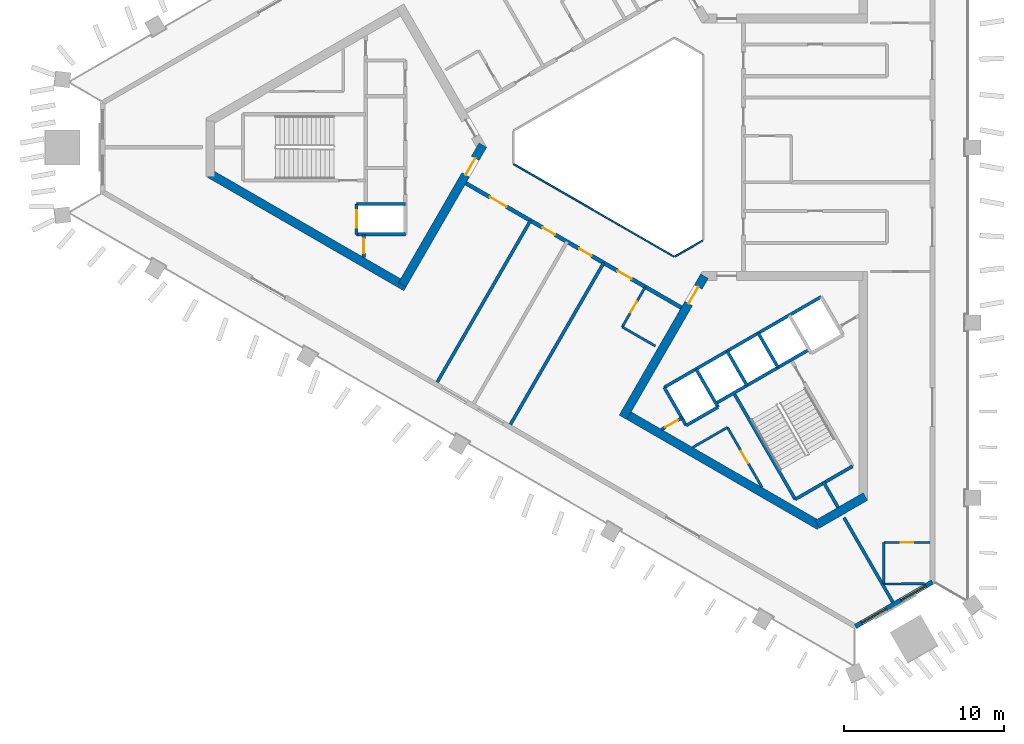
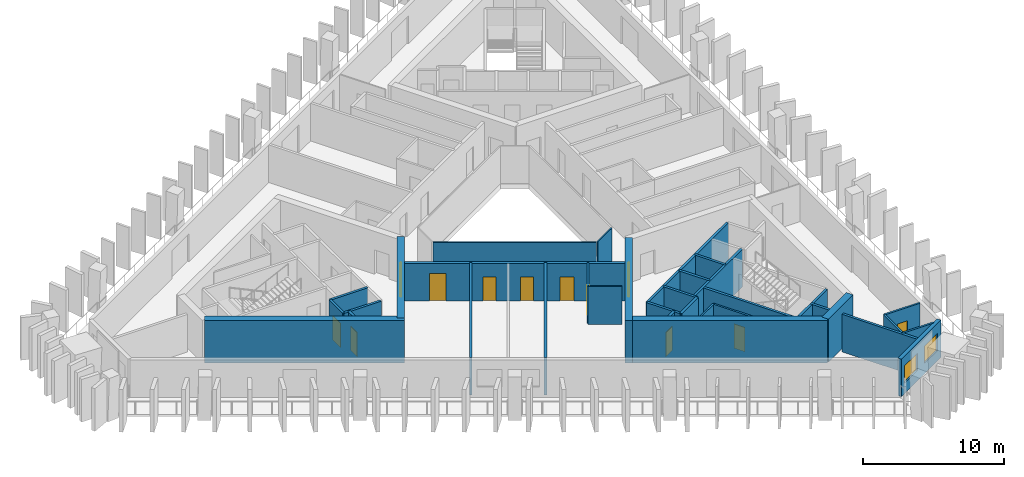
# One storey, part 2 of 10: 34 walls, 12 doors, 2 windows, 14 openings.
"""IFC4 building model written with IfcOpenShell, lengths in metres."""

from ifc_helpers import new_model, si_unit, direction, frame, frame_2d, origin, place, context, subcontext, project, spatial, rectangle, extrude, material, layer, layer_set, type_object, element, fill, save


model = new_model("IFC4")

# Units and contexts
model_context = context("Model", 3, precision=1e-05, world=origin(), true_north=direction((0.0, 1.0)))
body_context = subcontext(model_context, "Body", "Model", "MODEL_VIEW")
ifc_project = project(units=[si_unit("LENGTHUNIT", "METRE"), si_unit("AREAUNIT", "SQUARE_METRE"), si_unit("VOLUMEUNIT", "CUBIC_METRE"), si_unit("PLANEANGLEUNIT", "RADIAN"), si_unit("MASSUNIT", "GRAM", prefix="KILO")], contexts=[model_context])

# Site, building, storey
site_placement = place(None, origin())
site = spatial("IfcSite", under=ifc_project, at=site_placement, CompositionType="ELEMENT")
building_placement = place(site_placement, origin())
building = spatial("IfcBuilding", under=site, at=building_placement, Name="Jabali Bay Hotel Tower and Convention Centre", CompositionType="ELEMENT")
storey_placement = place(building_placement, frame((0.0, 0.0, 156.300048828125)))
storey = spatial("IfcBuildingStorey", under=building, at=storey_placement, Name="L37", CompositionType="ELEMENT", Elevation=156.300048828125)

# Walls
ifc_material_1 = material(Name="Fire-resistant glazing", Category="glass")
ifc_layer_1 = layer(ifc_material_1, 0.10009765625)
ifc_layer_set_1 = layer_set([ifc_layer_1], Name="Fire-resistant glazing")
wall_type_1 = type_object("IfcWallType", Name="Atrium glazed screen 100", PredefinedType="PARTITIONING", material=ifc_layer_set_1)
wall_1_placement = place(storey_placement, frame((67.7021484375, 78.947998046875, 0.0), z_axis=(0.0, 0.0, 1.0), x_axis=(0.866026658274, -0.499997827154, 0.0)))
element("IfcWall", 1, at=wall_1_placement, inside=storey, type_object=wall_type_1, Name="Atrium screen 5 L37", PredefinedType="PARTITIONING", context=body_context, shape_type="SweptSolid", body=[
    extrude(rectangle(XDim=11.58837890625, YDim=0.10009765625, at=frame_2d((5.794189453125, 0.0))), origin(), (0.0, 0.0, 1.0), 3.25),
])
wall_2_placement = place(storey_placement, frame((77.7978515625, 73.15380859375, 0.0), z_axis=(0.0, 0.0, 1.0), x_axis=(0.866041268327, 0.499972520799, 0.0)))
element("IfcWall", 2, at=wall_2_placement, inside=storey, type_object=wall_type_1, Name="Atrium screen 6 L37", PredefinedType="PARTITIONING", context=body_context, shape_type="SweptSolid", body=[
    extrude(rectangle(XDim=2.0, YDim=0.10009765625, at=frame_2d((1.0, 0.0))), origin(), (0.0, 0.0, 1.0), 3.25),
])

# Wall, opening, door
ifc_material_2 = material(Name="Concrete C40", Category="concrete")
ifc_layer_2 = layer(ifc_material_2, 0.199951171875)
ifc_layer_set_2 = layer_set([ifc_layer_2], Name="Concrete C40")
wall_type_2 = type_object("IfcWallType", Name="Core partition wall 200", PredefinedType="PARTITIONING", material=ifc_layer_set_2)
wall_3_placement = place(storey_placement, frame((58.300048828125, 74.550048828125, 0.0), z_axis=(0.0, 0.0, 1.0), x_axis=(0.0, -1.0, 0.0)))
wall_3 = element("IfcWall", 3, at=wall_3_placement, inside=storey, type_object=wall_type_2, Name="Core wall 0.11 L37", PredefinedType="PARTITIONING", context=body_context, shape_type="SweptSolid", body=[
    extrude(rectangle(XDim=1.455078125, YDim=0.199951171875, at=frame_2d((0.7275390625, 0.0))), origin(), (0.0, 0.0, 1.0), 3.25),
])
opening_1_placement = place(wall_3_placement, frame((0.277587890625, 0.0, 0.0)))
opening_1 = element("IfcOpeningElement", 4, at=opening_1_placement, cuts=wall_3, Name="Opening D808", PredefinedType="OPENING", context=body_context, shape_type="SweptSolid", body=[
    extrude(rectangle(XDim=0.89990234375, YDim=2.10009765625, at=frame_2d((0.449951171875, 1.050048828125))), frame((0.0, 0.1103515625, 0.0), z_axis=(0.0, -1.0, 0.0), x_axis=(1.0, 0.0, 0.0)), (0.0, 0.0, 1.0), 0.220947265625),
])
ifc_material_3 = material(Name="Fire-rated steel door", Category="steel")
door_type_1 = type_object("IfcDoorType", Name="Vestibule fire door 900 x 2100", OperationType="NOTDEFINED", PredefinedType="NOTDEFINED", material=ifc_material_3)
door_1_placement = place(opening_1_placement, origin())
door_1 = element("IfcDoor", 5, at=door_1_placement, inside=storey, type_object=door_type_1, Name="Vestibule fire door D808", OperationType="SINGLE_SWING_LEFT", OverallHeight=2.10009765625, OverallWidth=0.89990234375, PredefinedType="NOTDEFINED", context=body_context, shape_type="SweptSolid", body=[
    extrude(rectangle(XDim=0.89990234375, YDim=2.10009765625, at=frame_2d((0.449951171875, 1.050048828125))), frame((0.0, 0.02490234375, 0.0), z_axis=(0.0, -1.0, 0.0), x_axis=(1.0, 0.0, 0.0)), (0.0, 0.0, 1.0), 0.050048828125),
])
fill(opening_1, door_1)

# Wall
wall_4_placement = place(storey_placement, frame((87.090087890625, 59.0595703125, 0.0), z_axis=(0.0, 0.0, 1.0), x_axis=(0.499951854219, -0.86605319898, 0.0)))
element("IfcWall", 6, at=wall_4_placement, inside=storey, type_object=wall_type_2, Name="Core wall 2.5 L37", PredefinedType="PARTITIONING", context=body_context, shape_type="SweptSolid", body=[
    extrude(rectangle(XDim=1.873291015625, YDim=0.199951171875, at=frame_2d((0.9365234375, 0.0))), origin(), (0.0, 0.0, 1.0), 3.25),
])

# Wall, opening, door
wall_5_placement = place(storey_placement, frame((76.969970703125, 62.315673828125, 0.0), z_axis=(0.0, 0.0, 1.0), x_axis=(0.865982457891, 0.500074377092, 0.0)))
wall_5 = element("IfcWall", 7, at=wall_5_placement, inside=storey, type_object=wall_type_2, Name="Core wall 2.11 L37", PredefinedType="PARTITIONING", context=body_context, shape_type="SweptSolid", body=[
    extrude(rectangle(XDim=1.461181640625, YDim=0.199951171875, at=frame_2d((0.73046875, 0.0))), origin(), (0.0, 0.0, 1.0), 3.25),
])
opening_2_placement = place(wall_5_placement, frame((0.280517578125, 0.0, 0.0)))
opening_2 = element("IfcOpeningElement", 8, at=opening_2_placement, cuts=wall_5, Name="Opening D821", PredefinedType="OPENING", context=body_context, shape_type="SweptSolid", body=[
    extrude(rectangle(XDim=0.89990234375, YDim=2.10009765625, at=frame_2d((0.449951171875, 1.050048828125))), frame((0.0, 0.1103515625, 0.0), z_axis=(0.0, -1.0, 0.0), x_axis=(1.0, 0.0, 0.0)), (0.0, 0.0, 1.0), 0.220947265625),
])
door_2_placement = place(opening_2_placement, origin())
door_2 = element("IfcDoor", 9, at=door_2_placement, inside=storey, type_object=door_type_1, Name="Vestibule fire door D821", OperationType="SINGLE_SWING_LEFT", OverallHeight=2.10009765625, OverallWidth=0.89990234375, PredefinedType="NOTDEFINED", context=body_context, shape_type="SweptSolid", body=[
    extrude(rectangle(XDim=0.89990234375, YDim=2.10009765625, at=frame_2d((0.449951171875, 1.050048828125))), frame((0.0, 0.02490234375, 0.0), z_axis=(0.0, -1.0, 0.0), x_axis=(1.0, 0.0, 0.0)), (0.0, 0.0, 1.0), 0.050048828125),
])
fill(opening_2, door_2)

ifc_material_4 = material(Name="Fire-rated board partition")
ifc_layer_3 = layer(ifc_material_4, 0.14990234375)
ifc_layer_set_3 = layer_set([ifc_layer_3], Name="Fire-rated board partition")
wall_type_3 = type_object("IfcWallType", Name="Core room partition 150", PredefinedType="PARTITIONING", material=ifc_layer_set_3)
wall_6_placement = place(storey_placement, frame((81.093994140625, 62.445068359375, 0.0), z_axis=(0.0, 0.0, 1.0), x_axis=(0.499980071345, -0.866036909293, 0.0)))
wall_6 = element("IfcWall", 10, at=wall_6_placement, inside=storey, type_object=wall_type_3, Name="Core wall 2.1 L37", PredefinedType="PARTITIONING", context=body_context, shape_type="SweptSolid", body=[
    extrude(rectangle(XDim=4.347900390625, YDim=0.14990234375, at=frame_2d((2.173828125, 0.0))), origin(), (0.0, 0.0, 1.0), 3.25),
])
opening_3_placement = place(wall_6_placement, frame((1.696533203125, 0.0, 0.0)))
opening_3 = element("IfcOpeningElement", 11, at=opening_3_placement, cuts=wall_6, Name="Opening D823", PredefinedType="OPENING", context=body_context, shape_type="SweptSolid", body=[
    extrude(rectangle(XDim=0.89990234375, YDim=2.10009765625, at=frame_2d((0.449951171875, 1.050048828125))), frame((0.0, 0.08544921875, 0.0), z_axis=(0.0, -1.0, 0.0), x_axis=(1.0, 0.0, 0.0)), (0.0, 0.0, 1.0), 0.1708984375),
])
door_type_2 = type_object("IfcDoorType", Name="Core room door 900 x 2100", OperationType="NOTDEFINED", PredefinedType="NOTDEFINED", material=ifc_material_3)
door_3_placement = place(opening_3_placement, origin())
door_3 = element("IfcDoor", 12, at=door_3_placement, inside=storey, type_object=door_type_2, Name="Core room door D823", OperationType="SINGLE_SWING_LEFT", OverallHeight=2.10009765625, OverallWidth=0.89990234375, PredefinedType="NOTDEFINED", context=body_context, shape_type="SweptSolid", body=[
    extrude(rectangle(XDim=0.89990234375, YDim=2.10009765625, at=frame_2d((0.449951171875, 1.050048828125))), frame((0.0, 0.02490234375, 0.0), z_axis=(0.0, -1.0, 0.0), x_axis=(1.0, 0.0, 0.0)), (0.0, 0.0, 1.0), 0.050048828125),
])
fill(opening_3, door_3)

# Walls
wall_7_placement = place(storey_placement, frame((78.919921875, 61.18994140625, 0.0), z_axis=(0.0, 0.0, 1.0), x_axis=(0.866038211682, 0.499977815414, 0.0)))
element("IfcWall", 13, at=wall_7_placement, inside=storey, type_object=wall_type_3, Name="Core wall 2.16 L37", PredefinedType="PARTITIONING", context=body_context, shape_type="SweptSolid", body=[
    extrude(rectangle(XDim=2.51025390625, YDim=0.14990234375, at=frame_2d((1.255126953125, 0.0))), origin(), (0.0, 0.0, 1.0), 3.25),
])
ifc_layer_4 = layer(ifc_material_2, 0.199951171875)
ifc_layer_set_4 = layer_set([ifc_layer_4], Name="Concrete C40")
wall_type_4 = type_object("IfcWallType", Name="Core stair wall 200", PredefinedType="SOLIDWALL", material=ifc_layer_set_4)
for number, where, z_axis, x_axis, name in (
    (14, (60.89990234375, 76.449951171875, 0.0), (0.0, 0.0, 1.0), (-1.0, 0.0, 0.0), "Core wall 0.7 L37"),
    (15, (60.89990234375, 74.550048828125, 0.0), (0.0, 0.0, 1.0), (-1.0, 0.0, 0.0), "Core wall 0.8 L37"),
):
    element("IfcWall", number, at=place(storey_placement, frame(where, z_axis=z_axis, x_axis=x_axis)), inside=storey, type_object=wall_type_4, Name=name, PredefinedType="SOLIDWALL", context=body_context, shape_type="SweptSolid", body=[
        extrude(rectangle(XDim=3.0498046875, YDim=0.199951171875, at=frame_2d((1.52490234375, 0.0))), origin(), (0.0, 0.0, 1.0), 3.25),
    ])

# Wall, opening, door
wall_8_placement = place(storey_placement, frame((57.85009765625, 76.449951171875, 0.0), z_axis=(0.0, 0.0, 1.0), x_axis=(0.0, -1.0, 0.0)))
wall_8 = element("IfcWall", 16, at=wall_8_placement, inside=storey, type_object=wall_type_4, Name="Core wall 0.12 L37", PredefinedType="SOLIDWALL", context=body_context, shape_type="SweptSolid", body=[
    extrude(rectangle(XDim=1.89990234375, YDim=0.199951171875, at=frame_2d((0.949951171875, 0.0))), origin(), (0.0, 0.0, 1.0), 3.25),
])
opening_4_placement = place(wall_8_placement, frame((0.39990234375, 0.0, 0.0)))
opening_4 = element("IfcOpeningElement", 17, at=opening_4_placement, cuts=wall_8, Name="Opening LD5-L37", PredefinedType="OPENING", context=body_context, shape_type="SweptSolid", body=[
    extrude(rectangle(XDim=1.10009765625, YDim=2.10009765625, at=frame_2d((0.550048828125, 1.050048828125))), frame((0.0, 0.1103515625, 0.0), z_axis=(0.0, -1.0, 0.0), x_axis=(1.0, 0.0, 0.0)), (0.0, 0.0, 1.0), 0.220947265625),
])
ifc_material_5 = material(Name="Stainless steel landing door", Category="steel")
door_type_3 = type_object("IfcDoorType", Name="Landing door 1100 x 2100", OperationType="NOTDEFINED", PredefinedType="NOTDEFINED", material=ifc_material_5)
door_4_placement = place(opening_4_placement, origin())
door_4 = element("IfcDoor", 18, at=door_4_placement, inside=storey, type_object=door_type_3, Name="Landing doors LD5-L37", OperationType="SLIDING_TO_RIGHT", OverallHeight=2.10009765625, OverallWidth=1.10009765625, PredefinedType="NOTDEFINED", context=body_context, shape_type="SweptSolid", body=[
    extrude(rectangle(XDim=1.10009765625, YDim=2.10009765625, at=frame_2d((0.550048828125, 1.050048828125))), frame((0.0, 0.02490234375, 0.0), z_axis=(0.0, -1.0, 0.0), x_axis=(1.0, 0.0, 0.0)), (0.0, 0.0, 1.0), 0.050048828125),
])
fill(opening_4, door_4)

# Walls
for number, where, z_axis, x_axis, name in (
    (19, (77.13525390625, 64.95166015625, 0.0), (0.0, 0.0, 1.0), (0.499996545922, -0.866027397988, 0.0), "Core wall 2.0 L37"),
    (20, (79.127197265625, 66.1015625, 0.0), (0.0, 0.0, 1.0), (0.499996545922, -0.866027397988, 0.0), "Core wall 2.2 L37"),
):
    element("IfcWall", number, at=place(storey_placement, frame(where, z_axis=z_axis, x_axis=x_axis)), inside=storey, type_object=wall_type_4, Name=name, PredefinedType="SOLIDWALL", context=body_context, shape_type="SweptSolid", body=[
        extrude(rectangle(XDim=2.75, YDim=0.199951171875, at=frame_2d((1.375, 0.0))), origin(), (0.0, 0.0, 1.0), 3.25),
    ])
wall_9_placement = place(storey_placement, frame((81.492919921875, 64.603759765625, 0.0), z_axis=(0.0, 0.0, 1.0), x_axis=(0.500006057782, -0.866021906294, 0.0)))
element("IfcWall", 21, at=wall_9_placement, inside=storey, type_object=wall_type_4, Name="Core wall 2.3 L37", PredefinedType="SOLIDWALL", context=body_context, shape_type="SweptSolid", body=[
    extrude(rectangle(XDim=7.7001953125, YDim=0.199951171875, at=frame_2d((3.85009765625, 0.0))), origin(), (0.0, 0.0, 1.0), 3.25),
])
for number, where, z_axis, x_axis, name in (
    (22, (81.07568359375, 67.2265625, 0.0), (0.0, 0.0, 1.0), (0.50000366821, -0.866023285932, 0.0), "Core wall 2.4 L37"),
    (23, (83.024169921875, 68.3515625, 0.0), (0.0, 0.0, 1.0), (0.50000366821, -0.866023285932, 0.0), "Core wall 2.6 L37"),
):
    element("IfcWall", number, at=place(storey_placement, frame(where, z_axis=z_axis, x_axis=x_axis)), inside=storey, type_object=wall_type_4, Name=name, PredefinedType="SOLIDWALL", context=body_context, shape_type="SweptSolid", body=[
        extrude(rectangle(XDim=2.47998046875, YDim=0.199951171875, at=frame_2d((1.239990234375, 0.0))), origin(), (0.0, 0.0, 1.0), 3.25),
    ])
wall_10_placement = place(storey_placement, frame((77.13525390625, 64.95166015625, 0.0), z_axis=(0.0, 0.0, 1.0), x_axis=(0.866031916153, 0.499988720078, 0.0)))
element("IfcWall", 24, at=wall_10_placement, inside=storey, type_object=wall_type_4, Name="Core wall 2.10 L37", PredefinedType="SOLIDWALL", context=body_context, shape_type="SweptSolid", body=[
    extrude(rectangle(XDim=11.349853515625, YDim=0.199951171875, at=frame_2d((5.6748046875, 0.0))), origin(), (0.0, 0.0, 1.0), 3.25),
])
wall_11_placement = place(storey_placement, frame((80.3671875, 63.953857421875, 0.0), z_axis=(0.0, 0.0, 1.0), x_axis=(0.866026575979, 0.499997969693, 0.0)))
element("IfcWall", 25, at=wall_11_placement, inside=storey, type_object=wall_type_4, Name="Core wall 2.13 L37", PredefinedType="SOLIDWALL", context=body_context, shape_type="SweptSolid", body=[
    extrude(rectangle(XDim=6.75, YDim=0.199951171875, at=frame_2d((3.375, 0.0))), origin(), (0.0, 0.0, 1.0), 3.25),
])
wall_12_placement = place(storey_placement, frame((78.51025390625, 62.570068359375, 0.0), z_axis=(0.0, 0.0, 1.0), x_axis=(0.866053019151, 0.499952165731, 0.0)))
element("IfcWall", 26, at=wall_12_placement, inside=storey, type_object=wall_type_4, Name="Core wall 2.14 L37", PredefinedType="SOLIDWALL", context=body_context, shape_type="SweptSolid", body=[
    extrude(rectangle(XDim=2.300048828125, YDim=0.199951171875, at=frame_2d((1.14990234375, 0.0))), origin(), (0.0, 0.0, 1.0), 3.25),
])
wall_13_placement = place(storey_placement, frame((85.343017578125, 57.935302734375, 0.0), z_axis=(0.0, 0.0, 1.0), x_axis=(0.866004344652, 0.500036473714, 0.0)))
element("IfcWall", 27, at=wall_13_placement, inside=storey, type_object=wall_type_4, Name="Core wall 2.17 L37", PredefinedType="SOLIDWALL", context=body_context, shape_type="SweptSolid", body=[
    extrude(rectangle(XDim=4.150146484375, YDim=0.199951171875, at=frame_2d((2.0751953125, 0.0))), origin(), (0.0, 0.0, 1.0), 3.25),
])
ifc_material_6 = material(Name="Concrete C60", Category="concrete")
ifc_layer_5 = layer(ifc_material_6, 0.550048828125)
ifc_layer_set_5 = layer_set([ifc_layer_5], Name="Concrete C60")
wall_type_5 = type_object("IfcWallType", Name="Core wall 550", PredefinedType="SHEAR", material=ifc_layer_set_5)
wall_14_placement = place(storey_placement, frame((48.671875, 78.336181640625, 0.0), z_axis=(0.0, 0.0, 1.0), x_axis=(0.866023530946, -0.500003243837, 0.0)))
element("IfcWall", 28, at=wall_14_placement, inside=storey, type_object=wall_type_5, Name="Core wall 1.4 L37", PredefinedType="SHEAR", context=body_context, shape_type="SweptSolid", body=[
    extrude(rectangle(XDim=14.1748046875, YDim=0.550048828125, at=frame_2d((7.08740234375, 0.0))), origin(), (0.0, 0.0, 1.0), 3.699951171875),
])

# Wall, opening, door
wall_15_placement = place(storey_placement, frame((60.709228515625, 71.38623046875, 0.0), z_axis=(0.0, 0.0, 1.0), x_axis=(0.500015938302, 0.866016201606, 0.0)))
wall_15 = element("IfcWall", 29, at=wall_15_placement, inside=storey, type_object=wall_type_5, Name="Core wall 1.5 L37", PredefinedType="SHEAR", context=body_context, shape_type="SweptSolid", body=[
    extrude(rectangle(XDim=10.105224609375, YDim=0.550048828125, at=frame_2d((5.052734375, 0.0))), origin(), (0.0, 0.0, 1.0), 3.699951171875),
])
opening_5_placement = place(wall_15_placement, frame((7.955078125, 0.0, 0.0)))
opening_5 = element("IfcOpeningElement", 30, at=opening_5_placement, cuts=wall_15, Name="Opening D804", PredefinedType="OPENING", context=body_context, shape_type="SweptSolid", body=[
    extrude(rectangle(XDim=1.199951171875, YDim=2.10009765625, at=frame_2d((0.60009765625, 1.050048828125))), frame((0.0, 0.28564453125, 0.0), z_axis=(0.0, -1.0, 0.0), x_axis=(1.0, 0.0, 0.0)), (0.0, 0.0, 1.0), 0.571044921875),
])
door_type_4 = type_object("IfcDoorType", Name="Corridor end fire door 1200 x 2100", OperationType="NOTDEFINED", PredefinedType="NOTDEFINED", material=ifc_material_3)
door_5_placement = place(opening_5_placement, origin())
door_5 = element("IfcDoor", 31, at=door_5_placement, inside=storey, type_object=door_type_4, Name="Corridor end fire door D804", OperationType="SINGLE_SWING_LEFT", OverallHeight=2.10009765625, OverallWidth=1.199951171875, PredefinedType="NOTDEFINED", context=body_context, shape_type="SweptSolid", body=[
    extrude(rectangle(XDim=1.199951171875, YDim=2.10009765625, at=frame_2d((0.60009765625, 1.050048828125))), frame((0.0, 0.02490234375, 0.0), z_axis=(0.0, -1.0, 0.0), x_axis=(1.0, 0.0, 0.0)), (0.0, 0.0, 1.0), 0.050048828125),
])
fill(opening_5, door_5)

wall_16_placement = place(storey_placement, frame((79.65869140625, 71.9306640625, 0.0), z_axis=(0.0, 0.0, 1.0), x_axis=(-0.500000202252, -0.866025287014, 0.0)))
wall_16 = element("IfcWall", 32, at=wall_16_placement, inside=storey, type_object=wall_type_5, Name="Core wall 3.1 L37", PredefinedType="SHEAR", context=body_context, shape_type="SweptSolid", body=[
    extrude(rectangle(XDim=10.22119140625, YDim=0.550048828125, at=frame_2d((5.110595703125, 0.0))), origin(), (0.0, 0.0, 1.0), 3.699951171875),
])
opening_6_placement = place(wall_16_placement, frame((0.791259765625, 0.0, 0.0)))
opening_6 = element("IfcOpeningElement", 33, at=opening_6_placement, cuts=wall_16, Name="Opening D818", PredefinedType="OPENING", context=body_context, shape_type="SweptSolid", body=[
    extrude(rectangle(XDim=1.199951171875, YDim=2.10009765625, at=frame_2d((0.60009765625, 1.050048828125))), frame((0.0, 0.28564453125, 0.0), z_axis=(0.0, -1.0, 0.0), x_axis=(1.0, 0.0, 0.0)), (0.0, 0.0, 1.0), 0.571044921875),
])
door_6_placement = place(opening_6_placement, origin())
door_6 = element("IfcDoor", 34, at=door_6_placement, inside=storey, type_object=door_type_4, Name="Corridor end fire door D818", OperationType="SINGLE_SWING_RIGHT", OverallHeight=2.10009765625, OverallWidth=1.199951171875, PredefinedType="NOTDEFINED", context=body_context, shape_type="SweptSolid", body=[
    extrude(rectangle(XDim=1.199951171875, YDim=2.10009765625, at=frame_2d((0.60009765625, 1.050048828125))), frame((0.0, 0.02490234375, 0.0), z_axis=(0.0, -1.0, 0.0), x_axis=(1.0, 0.0, 0.0)), (0.0, 0.0, 1.0), 0.050048828125),
])
fill(opening_6, door_6)

# Walls
wall_17_placement = place(storey_placement, frame((74.685546875, 63.317138671875, 0.0), z_axis=(0.0, 0.0, 1.0), x_axis=(0.866024505738, -0.500001555459, 0.0)))
element("IfcWall", 35, at=wall_17_placement, inside=storey, type_object=wall_type_5, Name="Core wall 3.2 L37", PredefinedType="SHEAR", context=body_context, shape_type="SweptSolid", body=[
    extrude(rectangle(XDim=14.05859375, YDim=0.550048828125, at=frame_2d((7.029296875, 0.0))), origin(), (0.0, 0.0, 1.0), 3.699951171875),
])
wall_18_placement = place(storey_placement, frame((86.72314453125, 56.3671875, 0.0), z_axis=(0.0, 0.0, 1.0), x_axis=(0.865997833373, 0.500047750313, 0.0)))
element("IfcWall", 36, at=wall_18_placement, inside=storey, type_object=wall_type_5, Name="Core wall 3.3 L37", PredefinedType="SHEAR", context=body_context, shape_type="SweptSolid", body=[
    extrude(rectangle(XDim=3.486572265625, YDim=0.550048828125, at=frame_2d((1.7431640625, 0.0))), origin(), (0.0, 0.0, 1.0), 3.699951171875),
])

# Wall, openings, doors
ifc_layer_6 = layer(ifc_material_6, 0.25)
ifc_layer_set_6 = layer_set([ifc_layer_6], Name="Concrete C60")
wall_type_6 = type_object("IfcWallType", Name="Corridor wall 250", PredefinedType="SHEAR", material=ifc_layer_set_6)
wall_19_placement = place(storey_placement, frame((64.699951171875, 77.748291015625, 0.0), z_axis=(0.0, 0.0, 1.0), x_axis=(0.866026492143, -0.499998114903, 0.0)))
wall_19 = element("IfcWall", 37, at=wall_19_placement, inside=storey, type_object=wall_type_6, Name="Corridor wall 3 L37", PredefinedType="SHEAR", context=body_context, shape_type="SweptSolid", body=[
    extrude(rectangle(XDim=15.58837890625, YDim=0.25, at=frame_2d((7.794189453125, 0.0))), origin(), (0.0, 0.0, 1.0), 3.25),
])
opening_7_placement = place(wall_19_placement, frame((1.73828125, 0.0, 0.0)))
opening_7 = element("IfcOpeningElement", 38, at=opening_7_placement, cuts=wall_19, Name="Opening 3719", PredefinedType="OPENING", context=body_context, shape_type="SweptSolid", body=[
    extrude(rectangle(XDim=1.199951171875, YDim=2.39990234375, at=frame_2d((0.60009765625, 1.199951171875))), frame((0.0, 0.135498046875, 0.0), z_axis=(0.0, -1.0, 0.0), x_axis=(1.0, 0.0, 0.0)), (0.0, 0.0, 1.0), 0.27099609375),
])
opening_8_placement = place(wall_19_placement, frame((5.551513671875, 0.0, 0.0)))
opening_8 = element("IfcOpeningElement", 39, at=opening_8_placement, cuts=wall_19, Name="Opening 3720", PredefinedType="OPENING", context=body_context, shape_type="SweptSolid", body=[
    extrude(rectangle(XDim=0.89990234375, YDim=2.10009765625, at=frame_2d((0.449951171875, 1.050048828125))), frame((0.0, 0.135498046875, 0.0), z_axis=(0.0, -1.0, 0.0), x_axis=(1.0, 0.0, 0.0)), (0.0, 0.0, 1.0), 0.27099609375),
])
opening_9_placement = place(wall_19_placement, frame((8.20166015625, 0.0, 0.0)))
opening_9 = element("IfcOpeningElement", 40, at=opening_9_placement, cuts=wall_19, Name="Opening 3721", PredefinedType="OPENING", context=body_context, shape_type="SweptSolid", body=[
    extrude(rectangle(XDim=0.89990234375, YDim=2.10009765625, at=frame_2d((0.449951171875, 1.050048828125))), frame((0.0, 0.135498046875, 0.0), z_axis=(0.0, -1.0, 0.0), x_axis=(1.0, 0.0, 0.0)), (0.0, 0.0, 1.0), 0.27099609375),
])
opening_10_placement = place(wall_19_placement, frame((10.982421875, 0.0, 0.0)))
opening_10 = element("IfcOpeningElement", 41, at=opening_10_placement, cuts=wall_19, Name="Opening 3723", PredefinedType="OPENING", context=body_context, shape_type="SweptSolid", body=[
    extrude(rectangle(XDim=1.0, YDim=2.10009765625, at=frame_2d((0.5, 1.050048828125))), frame((0.0, 0.135498046875, 0.0), z_axis=(0.0, -1.0, 0.0), x_axis=(1.0, 0.0, 0.0)), (0.0, 0.0, 1.0), 0.27099609375),
])
ifc_material_7 = material(Name="Timber", Category="wood")
door_type_5 = type_object("IfcDoorType", Name="Guest room door 1000 x 2100", OperationType="NOTDEFINED", PredefinedType="NOTDEFINED", material=ifc_material_7)
door_7_placement = place(opening_10_placement, origin())
door_7 = element("IfcDoor", 42, at=door_7_placement, inside=storey, type_object=door_type_5, Name="Door 3723", OperationType="SINGLE_SWING_RIGHT", OverallHeight=2.10009765625, OverallWidth=1.0, PredefinedType="NOTDEFINED", context=body_context, shape_type="SweptSolid", body=[
    extrude(rectangle(XDim=1.0, YDim=2.10009765625, at=frame_2d((0.5, 1.050048828125))), frame((0.0, 0.02490234375, 0.0), z_axis=(0.0, -1.0, 0.0), x_axis=(1.0, 0.0, 0.0)), (0.0, 0.0, 1.0), 0.050048828125),
])
fill(opening_10, door_7)
door_type_6 = type_object("IfcDoorType", Name="Internal door 900 x 2100", OperationType="NOTDEFINED", PredefinedType="NOTDEFINED", material=ifc_material_7)
door_8_placement = place(opening_8_placement, origin())
door_8 = element("IfcDoor", 43, at=door_8_placement, inside=storey, type_object=door_type_6, Name="Door 3720", OperationType="SINGLE_SWING_LEFT", OverallHeight=2.10009765625, OverallWidth=0.89990234375, PredefinedType="NOTDEFINED", context=body_context, shape_type="SweptSolid", body=[
    extrude(rectangle(XDim=0.89990234375, YDim=2.10009765625, at=frame_2d((0.449951171875, 1.050048828125))), frame((0.0, 0.02490234375, 0.0), z_axis=(0.0, -1.0, 0.0), x_axis=(1.0, 0.0, 0.0)), (0.0, 0.0, 1.0), 0.050048828125),
])
fill(opening_8, door_8)
door_9_placement = place(opening_9_placement, origin())
door_9 = element("IfcDoor", 44, at=door_9_placement, inside=storey, type_object=door_type_6, Name="Door 3721", OperationType="SINGLE_SWING_RIGHT", OverallHeight=2.10009765625, OverallWidth=0.89990234375, PredefinedType="NOTDEFINED", context=body_context, shape_type="SweptSolid", body=[
    extrude(rectangle(XDim=0.89990234375, YDim=2.10009765625, at=frame_2d((0.449951171875, 1.050048828125))), frame((0.0, 0.02490234375, 0.0), z_axis=(0.0, -1.0, 0.0), x_axis=(1.0, 0.0, 0.0)), (0.0, 0.0, 1.0), 0.050048828125),
])
fill(opening_9, door_9)
door_type_7 = type_object("IfcDoorType", Name="Public room door 1200 x 2400", OperationType="NOTDEFINED", PredefinedType="NOTDEFINED", material=ifc_material_7)
door_10_placement = place(opening_7_placement, origin())
door_10 = element("IfcDoor", 45, at=door_10_placement, inside=storey, type_object=door_type_7, Name="Door 3719", OperationType="SINGLE_SWING_LEFT", OverallHeight=2.39990234375, OverallWidth=1.199951171875, PredefinedType="NOTDEFINED", context=body_context, shape_type="SweptSolid", body=[
    extrude(rectangle(XDim=1.199951171875, YDim=2.39990234375, at=frame_2d((0.60009765625, 1.199951171875))), frame((0.0, 0.02490234375, 0.0), z_axis=(0.0, -1.0, 0.0), x_axis=(1.0, 0.0, 0.0)), (0.0, 0.0, 1.0), 0.050048828125),
])
fill(opening_7, door_10)

# Wall, openings, windows
ifc_layer_7 = layer(ifc_material_2, 0.300048828125)
ifc_layer_set_7 = layer_set([ifc_layer_7], Name="Concrete C40")
wall_type_7 = type_object("IfcWallType", Name="External wall 300", PredefinedType="SOLIDWALL", material=ifc_layer_set_7)
wall_20_placement = place(storey_placement, frame((93.9501953125, 52.7529296875, 0.0), z_axis=(0.0, 0.0, 1.0), x_axis=(-0.866022249214, -0.500005463837, 0.0)))
wall_20 = element("IfcWall", 46, at=wall_20_placement, inside=storey, type_object=wall_type_7, Name="External wall south-east chamfer L37", PredefinedType="SOLIDWALL", context=body_context, shape_type="SweptSolid", body=[
    extrude(rectangle(XDim=5.57568359375, YDim=0.300048828125, at=frame_2d((2.787841796875, 0.0))), origin(), (0.0, 0.0, 1.0), 3.25),
])
opening_11_placement = place(wall_20_placement, frame((0.487060546875, 0.0, 0.89990234375)))
opening_11 = element("IfcOpeningElement", 47, at=opening_11_placement, cuts=wall_20, Name="Opening W1", PredefinedType="OPENING", context=body_context, shape_type="SweptSolid", body=[
    extrude(rectangle(XDim=1.800048828125, YDim=1.5, at=frame_2d((0.89990234375, 0.75))), frame((0.0, 0.16064453125, 0.0), z_axis=(0.0, -1.0, 0.0), x_axis=(1.0, 0.0, 0.0)), (0.0, 0.0, 1.0), 0.321044921875),
])
opening_12_placement = place(wall_20_placement, frame((3.324462890625, 0.0, 0.89990234375)))
opening_12 = element("IfcOpeningElement", 48, at=opening_12_placement, cuts=wall_20, Name="Opening W1", PredefinedType="OPENING", context=body_context, shape_type="SweptSolid", body=[
    extrude(rectangle(XDim=1.800048828125, YDim=1.5, at=frame_2d((0.89990234375, 0.75))), frame((0.0, 0.16064453125, 0.0), z_axis=(0.0, -1.0, 0.0), x_axis=(1.0, 0.0, 0.0)), (0.0, 0.0, 1.0), 0.321044921875),
])
ifc_material_8 = material(Name="Glass", Category="glass")
window_type = type_object("IfcWindowType", Name="Window 1800 x 1500", PartitioningType="SINGLE_PANEL", PredefinedType="WINDOW", material=ifc_material_8)
window_1_placement = place(opening_11_placement, origin())
window_1 = element("IfcWindow", 49, at=window_1_placement, inside=storey, type_object=window_type, Name="Window 3701", OverallHeight=1.5, OverallWidth=1.800048828125, PartitioningType="SINGLE_PANEL", PredefinedType="WINDOW", context=body_context, shape_type="SweptSolid", body=[
    extrude(rectangle(XDim=1.800048828125, YDim=1.5, at=frame_2d((0.89990234375, 0.75))), frame((0.0, 0.030029296875, 0.0), z_axis=(0.0, -1.0, 0.0), x_axis=(1.0, 0.0, 0.0)), (0.0, 0.0, 1.0), 0.06005859375),
])
fill(opening_11, window_1)
window_2_placement = place(opening_12_placement, origin())
window_2 = element("IfcWindow", 50, at=window_2_placement, inside=storey, type_object=window_type, Name="Window 3713", OverallHeight=1.5, OverallWidth=1.800048828125, PartitioningType="SINGLE_PANEL", PredefinedType="WINDOW", context=body_context, shape_type="SweptSolid", body=[
    extrude(rectangle(XDim=1.800048828125, YDim=1.5, at=frame_2d((0.89990234375, 0.75))), frame((0.0, 0.030029296875, 0.0), z_axis=(0.0, -1.0, 0.0), x_axis=(1.0, 0.0, 0.0)), (0.0, 0.0, 1.0), 0.06005859375),
])
fill(opening_12, window_2)

# Walls
ifc_material_9 = material(Name="Plasterboard on steel stud", Category="steel")
ifc_layer_8 = layer(ifc_material_9, 0.14990234375)
ifc_layer_set_8 = layer_set([ifc_layer_8], Name="Plasterboard on steel stud")
wall_type_8 = type_object("IfcWallType", Name="Partition 150 wet", PredefinedType="PARTITIONING", material=ifc_layer_set_8)
wall_21_placement = place(storey_placement, frame((93.452880859375, 52.637939453125, 0.0), z_axis=(0.0, 0.0, 1.0), x_axis=(-0.999994066123, -0.003444955634, 0.0)))
element("IfcWall", 51, at=wall_21_placement, inside=storey, type_object=wall_type_8, Name="Partition P03 L37 007", PredefinedType="PARTITIONING", context=body_context, shape_type="SweptSolid", body=[
    extrude(rectangle(XDim=2.55126953125, YDim=0.14990234375, at=frame_2d((1.275634765625, 0.0))), origin(), (0.0, 0.0, 1.0), 3.25),
])
wall_22_placement = place(storey_placement, frame((90.901611328125, 52.629150390625, 0.0), z_axis=(0.0, 0.0, 1.0), x_axis=(0.0, 1.0, 0.0)))
element("IfcWall", 52, at=wall_22_placement, inside=storey, type_object=wall_type_8, Name="Partition P03 L37 008", PredefinedType="PARTITIONING", context=body_context, shape_type="SweptSolid", body=[
    extrude(rectangle(XDim=2.60009765625, YDim=0.14990234375, at=frame_2d((1.300048828125, 0.0))), origin(), (0.0, 0.0, 1.0), 3.25),
])

# Wall, opening, door
wall_23_placement = place(storey_placement, frame((90.901611328125, 55.229248046875, 0.0), z_axis=(0.0, 0.0, 1.0), x_axis=(1.0, 0.0, 0.0)))
wall_23 = element("IfcWall", 53, at=wall_23_placement, inside=storey, type_object=wall_type_8, Name="Partition P03 L37 009", PredefinedType="PARTITIONING", context=body_context, shape_type="SweptSolid", body=[
    extrude(rectangle(XDim=2.8994140625, YDim=0.14990234375, at=frame_2d((1.44970703125, 0.0))), origin(), (0.0, 0.0, 1.0), 3.25),
])
opening_13_placement = place(wall_23_placement, frame((1.050048828125, 0.0, 0.0)))
opening_13 = element("IfcOpeningElement", 54, at=opening_13_placement, cuts=wall_23, Name="Opening 3703", PredefinedType="OPENING", context=body_context, shape_type="SweptSolid", body=[
    extrude(rectangle(XDim=0.800048828125, YDim=2.10009765625, at=frame_2d((0.39990234375, 1.050048828125))), frame((0.0, 0.08544921875, 0.0), z_axis=(0.0, -1.0, 0.0), x_axis=(1.0, 0.0, 0.0)), (0.0, 0.0, 1.0), 0.1708984375),
])
door_type_8 = type_object("IfcDoorType", Name="En-suite door 800 x 2100", OperationType="NOTDEFINED", PredefinedType="NOTDEFINED", material=ifc_material_7)
door_11_placement = place(opening_13_placement, origin())
door_11 = element("IfcDoor", 55, at=door_11_placement, inside=storey, type_object=door_type_8, Name="Door 3703", OperationType="SINGLE_SWING_LEFT", OverallHeight=2.10009765625, OverallWidth=0.800048828125, PredefinedType="NOTDEFINED", context=body_context, shape_type="SweptSolid", body=[
    extrude(rectangle(XDim=0.800048828125, YDim=2.10009765625, at=frame_2d((0.39990234375, 1.050048828125))), frame((0.0, 0.02490234375, 0.0), z_axis=(0.0, -1.0, 0.0), x_axis=(1.0, 0.0, 0.0)), (0.0, 0.0, 1.0), 0.050048828125),
])
fill(opening_13, door_11)

# Wall
wall_24_placement = place(storey_placement, frame((76.57763671875, 67.542236328125, 0.0), z_axis=(0.0, 0.0, 1.0), x_axis=(-0.866038271014, 0.499977712642, 0.0)))
element("IfcWall", 56, at=wall_24_placement, inside=storey, type_object=wall_type_8, Name="Partition P03 L37 039", PredefinedType="PARTITIONING", context=body_context, shape_type="SweptSolid", body=[
    extrude(rectangle(XDim=2.40087890625, YDim=0.14990234375, at=frame_2d((1.200439453125, 0.0))), origin(), (0.0, 0.0, 1.0), 3.25),
])

# Wall, opening, door
wall_25_placement = place(storey_placement, frame((74.498291015625, 68.74267578125, 0.0), z_axis=(0.0, 0.0, 1.0), x_axis=(0.499987231761, 0.866032775405, 0.0)))
wall_25 = element("IfcWall", 57, at=wall_25_placement, inside=storey, type_object=wall_type_8, Name="Partition P03 L37 040", PredefinedType="PARTITIONING", context=body_context, shape_type="SweptSolid", body=[
    extrude(rectangle(XDim=2.89990234375, YDim=0.14990234375, at=frame_2d((1.449951171875, 0.0))), origin(), (0.0, 0.0, 1.0), 3.25),
])
opening_14_placement = place(wall_25_placement, frame((1.050048828125, 0.0, 0.0)))
opening_14 = element("IfcOpeningElement", 58, at=opening_14_placement, cuts=wall_25, Name="Opening 3722", PredefinedType="OPENING", context=body_context, shape_type="SweptSolid", body=[
    extrude(rectangle(XDim=0.800048828125, YDim=2.10009765625, at=frame_2d((0.39990234375, 1.050048828125))), frame((0.0, 0.08544921875, 0.0), z_axis=(0.0, -1.0, 0.0), x_axis=(1.0, 0.0, 0.0)), (0.0, 0.0, 1.0), 0.1708984375),
])
door_12_placement = place(opening_14_placement, origin())
door_12 = element("IfcDoor", 59, at=door_12_placement, inside=storey, type_object=door_type_8, Name="Door 3722", OperationType="SINGLE_SWING_RIGHT", OverallHeight=2.10009765625, OverallWidth=0.800048828125, PredefinedType="NOTDEFINED", context=body_context, shape_type="SweptSolid", body=[
    extrude(rectangle(XDim=0.800048828125, YDim=2.10009765625, at=frame_2d((0.39990234375, 1.050048828125))), frame((0.0, 0.02490234375, 0.0), z_axis=(0.0, -1.0, 0.0), x_axis=(1.0, 0.0, 0.0)), (0.0, 0.0, 1.0), 0.050048828125),
])
fill(opening_14, door_12)

# Walls
ifc_layer_9 = layer(ifc_material_9, 0.199951171875)
ifc_layer_set_9 = layer_set([ifc_layer_9], Name="Plasterboard on steel stud")
wall_type_9 = type_object("IfcWallType", Name="Partition 200 party", PredefinedType="PARTITIONING", material=ifc_layer_set_9)
wall_26_placement = place(storey_placement, frame((88.40185546875, 56.789306640625, 0.0), z_axis=(0.0, 0.0, 1.0), x_axis=(0.499987164874, -0.866032814021, 0.0)))
element("IfcWall", 60, at=wall_26_placement, inside=storey, type_object=wall_type_9, Name="Partition P01 L37 010", PredefinedType="PARTITIONING", context=body_context, shape_type="SweptSolid", body=[
    extrude(rectangle(XDim=6.120849609375, YDim=0.199951171875, at=frame_2d((3.060546875, 0.0))), origin(), (0.0, 0.0, 1.0), 3.25),
])
for number, where, z_axis, x_axis, name in (
    (61, (62.8994140625, 65.276611328125, 0.0), (0.0, 0.0, 1.0), (0.499998785317, 0.866026105081, 0.0), "Partition P01 L37 036"),
    (62, (67.489501953125, 62.62646484375, 0.0), (0.0, 0.0, 1.0), (0.499998785317, 0.866026105081, 0.0), "Partition P01 L37 038"),
):
    element("IfcWall", number, at=place(storey_placement, frame(where, z_axis=z_axis, x_axis=x_axis)), inside=storey, type_object=wall_type_9, Name=name, PredefinedType="PARTITIONING", context=body_context, shape_type="SweptSolid", body=[
        extrude(rectangle(XDim=11.701171875, YDim=0.199951171875, at=frame_2d((5.8505859375, 0.0))), origin(), (0.0, 0.0, 1.0), 3.25),
    ])

save(model, "model.ifc")
